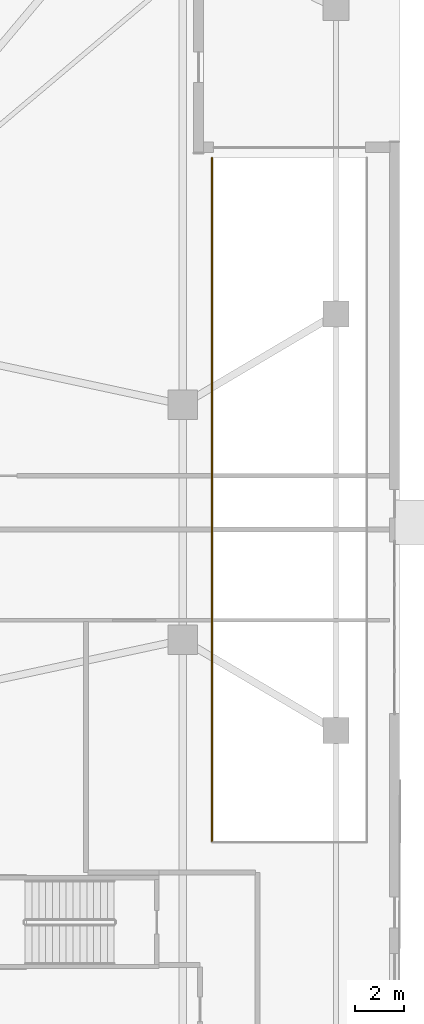
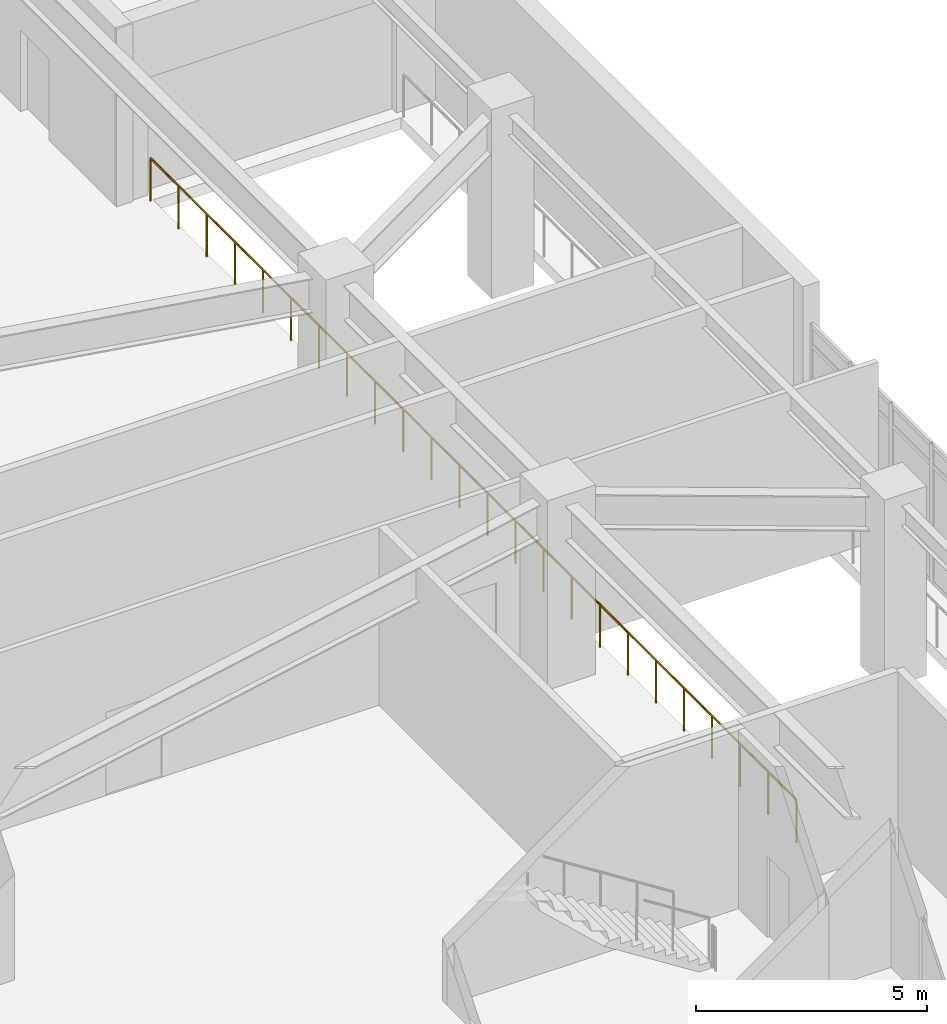
# One storey, part 17 of 21: 1 railing.
"""IFC4 building model written with IfcOpenShell, lengths in metres."""

from ifc_helpers import new_model, si_unit, direction, frame, origin, origin_2d, place, context, subcontext, project, spatial, circle, extrude, material, type_object, element, save


model = new_model("IFC4")

# Units and contexts
model_context = context("Model", 3, precision=1e-05, world=origin(), true_north=direction((0.0, 1.0)))
body_context = subcontext(model_context, "Body", "Model", "MODEL_VIEW")
ifc_project = project(units=[si_unit("LENGTHUNIT", "METRE"), si_unit("AREAUNIT", "SQUARE_METRE"), si_unit("VOLUMEUNIT", "CUBIC_METRE"), si_unit("PLANEANGLEUNIT", "RADIAN"), si_unit("MASSUNIT", "GRAM", prefix="KILO")], contexts=[model_context])

# Site, building, storey
site_placement = place(None, origin())
site = spatial("IfcSite", under=ifc_project, at=site_placement, CompositionType="ELEMENT")
building_placement = place(site_placement, origin())
building = spatial("IfcBuilding", under=site, at=building_placement, Name="Cairnveth Concourse Tower", CompositionType="ELEMENT")
storey_placement = place(building_placement, origin())
storey = spatial("IfcBuildingStorey", under=building, at=storey_placement, Name="L00", CompositionType="ELEMENT", Elevation=0.0)

# Railing
ifc_material = material(Name="Steel Grade 350", Category="steel")
railing_type = type_object("IfcRailingType", Name="STAIR GUARDRAIL 1150", PredefinedType="GUARDRAIL", material=ifc_material)
railing_placement = place(storey_placement, frame((78.340087890625, 53.8798828125, 0.0)))
element("IfcRailing", 1, at=railing_placement, inside=storey, type_object=railing_type, Name="Concourse L00 Ramp Well Guardrail W", PredefinedType="GUARDRAIL", context=body_context, shape_type="SweptSolid", body=[
    extrude(circle(Radius=0.02490234375, at=origin_2d()), frame((0.0, 0.0, 1.125), z_axis=(0.0, -1.0, 0.0), x_axis=(1.0, 0.0, 0.0)), (0.0, 0.0, 1.0), 27.93994140625),
    extrude(circle(Radius=0.0224609375, at=origin_2d()), origin(), (0.0, 0.0, 1.0), 1.099853515625),
    extrude(circle(Radius=0.0224609375, at=origin_2d()), frame((0.0, -1.21484375, 0.0)), (0.0, 0.0, 1.0), 1.099853515625),
    extrude(circle(Radius=0.0224609375, at=origin_2d()), frame((0.0, -2.429443359375, 0.0)), (0.0, 0.0, 1.0), 1.099853515625),
    extrude(circle(Radius=0.0224609375, at=origin_2d()), frame((0.0, -3.644287109375, 0.0)), (0.0, 0.0, 1.0), 1.099853515625),
    extrude(circle(Radius=0.0224609375, at=origin_2d()), frame((0.0, -4.859130859375, 0.0)), (0.0, 0.0, 1.0), 1.099853515625),
    extrude(circle(Radius=0.0224609375, at=origin_2d()), frame((0.0, -6.073974609375, 0.0)), (0.0, 0.0, 1.0), 1.099853515625),
    extrude(circle(Radius=0.0224609375, at=origin_2d()), frame((0.0, -7.28857421875, 0.0)), (0.0, 0.0, 1.0), 1.099853515625),
    extrude(circle(Radius=0.0224609375, at=origin_2d()), frame((0.0, -8.50341796875, 0.0)), (0.0, 0.0, 1.0), 1.099853515625),
    extrude(circle(Radius=0.0224609375, at=origin_2d()), frame((0.0, -9.71826171875, 0.0)), (0.0, 0.0, 1.0), 1.099853515625),
    extrude(circle(Radius=0.0224609375, at=origin_2d()), frame((0.0, -10.93310546875, 0.0)), (0.0, 0.0, 1.0), 1.099853515625),
    extrude(circle(Radius=0.0224609375, at=origin_2d()), frame((0.0, -12.147705078125, 0.0)), (0.0, 0.0, 1.0), 1.099853515625),
    extrude(circle(Radius=0.0224609375, at=origin_2d()), frame((0.0, -13.362548828125, 0.0)), (0.0, 0.0, 1.0), 1.099853515625),
    extrude(circle(Radius=0.0224609375, at=origin_2d()), frame((0.0, -14.577392578125, 0.0)), (0.0, 0.0, 1.0), 1.099853515625),
    extrude(circle(Radius=0.0224609375, at=origin_2d()), frame((0.0, -15.792236328125, 0.0)), (0.0, 0.0, 1.0), 1.099853515625),
    extrude(circle(Radius=0.0224609375, at=origin_2d()), frame((0.0, -17.0068359375, 0.0)), (0.0, 0.0, 1.0), 1.099853515625),
    extrude(circle(Radius=0.0224609375, at=origin_2d()), frame((0.0, -18.2216796875, 0.0)), (0.0, 0.0, 1.0), 1.099853515625),
    extrude(circle(Radius=0.0224609375, at=origin_2d()), frame((0.0, -19.4365234375, 0.0)), (0.0, 0.0, 1.0), 1.099853515625),
    extrude(circle(Radius=0.0224609375, at=origin_2d()), frame((0.0, -20.6513671875, 0.0)), (0.0, 0.0, 1.0), 1.099853515625),
    extrude(circle(Radius=0.0224609375, at=origin_2d()), frame((0.0, -21.865966796875, 0.0)), (0.0, 0.0, 1.0), 1.099853515625),
    extrude(circle(Radius=0.0224609375, at=origin_2d()), frame((0.0, -23.080810546875, 0.0)), (0.0, 0.0, 1.0), 1.099853515625),
    extrude(circle(Radius=0.0224609375, at=origin_2d()), frame((0.0, -24.295654296875, 0.0)), (0.0, 0.0, 1.0), 1.099853515625),
    extrude(circle(Radius=0.0224609375, at=origin_2d()), frame((0.0, -25.510498046875, 0.0)), (0.0, 0.0, 1.0), 1.099853515625),
    extrude(circle(Radius=0.0224609375, at=origin_2d()), frame((0.0, -26.72509765625, 0.0)), (0.0, 0.0, 1.0), 1.099853515625),
    extrude(circle(Radius=0.0224609375, at=origin_2d()), frame((0.0, -27.93994140625, 0.0)), (0.0, 0.0, 1.0), 1.099853515625),
])

save(model, "model.ifc")
